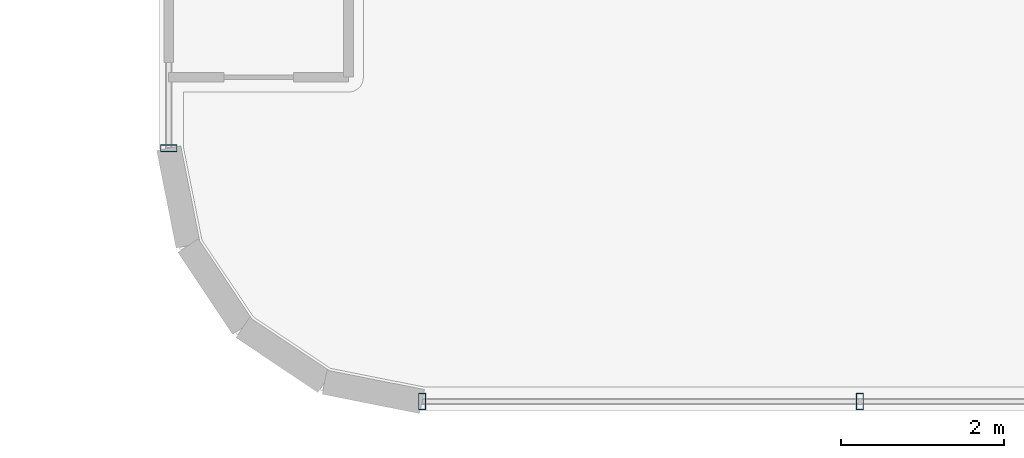
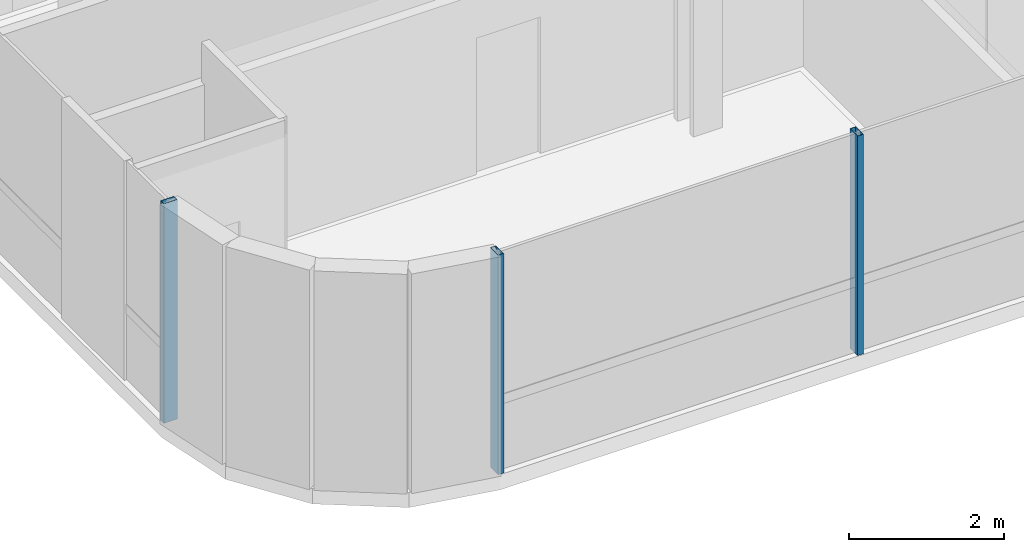
# One storey, part 2 of 40: 3 members, 2 elements without a shape of their own.
"""IFC4 building model written with IfcOpenShell, lengths in metres."""

import ifcopenshell
import ifcopenshell.guid

model = None  # the IFC model being written
_history = None  # IfcOwnerHistory: only IFC2X3 demands one
_inside = {}  # id of a spatial element -> (the spatial element, [elements in it])
_under = {}  # id of a project, library or spatial element -> (it, [spatial elements below it])
_declared = {}  # id of a project -> (the project, [libraries it declares])
_typed = {}  # id of a type object -> (the type object, [elements of that type])
_made_of = {}  # id of a material, layer set ... -> (it, [elements and type objects made of it])


def new_model(schema):
    """Start an empty IFC model of exactly this schema.

    Asked for "IFC4X3", IfcOpenShell would pick the latest addendum, in which some entities
    have other attributes; the version numbers below select the first issue.
    IFC2X3 requires an IfcOwnerHistory on every rooted entity: one is made here for all.
    """
    global model, _history
    if schema == "IFC4X3":
        model = ifcopenshell.file(schema_version=(4, 3, 0, 0))
    else:
        model = ifcopenshell.file(schema=schema)
    _inside.clear()
    _under.clear()
    _declared.clear()
    _typed.clear()
    _made_of.clear()
    _history = None
    if model.schema == "IFC2X3":
        org = make("IfcOrganization", Name="unknown")
        user = make(
            "IfcPersonAndOrganization",
            ThePerson=make("IfcPerson", FamilyName="unknown"),
            TheOrganization=org,
        )
        app = make(
            "IfcApplication",
            ApplicationDeveloper=org,
            Version="unknown",
            ApplicationFullName="unknown",
            ApplicationIdentifier="unknown",
        )
        _history = make(
            "IfcOwnerHistory",
            OwningUser=user,
            OwningApplication=app,
            ChangeAction="ADDED",
            CreationDate=0,
        )
    return model


def make(cls, **values):
    """One entity of the class cls with the attributes given. An attribute that is None is left unset."""
    return model.create_entity(
        cls, **{name: value for name, value in values.items() if value is not None}
    )


def rooted(cls, **values):
    """An entity with a GlobalId (a new one), such as an element, a storey or a relation."""
    return make(cls, GlobalId=ifcopenshell.guid.new(), OwnerHistory=_history, **values)


def si_unit(unit_type, name, prefix=None):
    """IfcSIUnit, for example si_unit("LENGTHUNIT", "METRE", prefix="MILLI")."""
    return make("IfcSIUnit", UnitType=unit_type, Prefix=prefix, Name=name)


def assignment(units):
    """IfcUnitAssignment: the units of a project."""
    return None if units is None else make("IfcUnitAssignment", Units=units)


def point(xyz):
    """IfcCartesianPoint."""
    return None if xyz is None else make("IfcCartesianPoint", Coordinates=xyz)


def direction(xyz):
    """IfcDirection."""
    return None if xyz is None else make("IfcDirection", DirectionRatios=xyz)


def frame(location, z_axis=None, x_axis=None):
    """IfcAxis2Placement3D, a coordinate frame: its origin and axes. An axis left out is left unset."""
    return make(
        "IfcAxis2Placement3D",
        Location=point(location),
        Axis=direction(z_axis),
        RefDirection=direction(x_axis),
    )


def frame_2d(location, x_axis=None):
    """IfcAxis2Placement2D, a coordinate frame in the plane: its origin and x axis."""
    return make(
        "IfcAxis2Placement2D", Location=point(location), RefDirection=direction(x_axis)
    )


def origin():
    """The frame at (0, 0, 0) with its axes left unset."""
    return frame((0.0, 0.0, 0.0))


def origin_2d():
    """The frame at (0, 0) in the plane with its x axis left unset."""
    return frame_2d((0.0, 0.0))


def place(relative_to, where):
    """IfcLocalPlacement: puts the frame where relative to a parent placement (None: the world)."""
    return make(
        "IfcLocalPlacement", PlacementRelTo=relative_to, RelativePlacement=where
    )


def context(
    kind, dimensions, precision=None, world=None, true_north=None, identifier=None
):
    """IfcGeometricRepresentationContext, for example the 3D "Model" context."""
    return make(
        "IfcGeometricRepresentationContext",
        ContextIdentifier=identifier,
        ContextType=kind,
        CoordinateSpaceDimension=dimensions,
        Precision=precision,
        WorldCoordinateSystem=world,
        TrueNorth=true_north,
    )


def subcontext(parent, identifier, kind, view, scale=None):
    """IfcGeometricRepresentationSubContext, for example "Body" below "Model"."""
    return make(
        "IfcGeometricRepresentationSubContext",
        ContextIdentifier=identifier,
        ContextType=kind,
        ParentContext=parent,
        TargetScale=scale,
        TargetView=view,
    )


def project(units=None, contexts=None):
    """IfcProject with its units and contexts."""
    return rooted(
        "IfcProject",
        Name="project",
        RepresentationContexts=contexts,
        UnitsInContext=assignment(units),
    )


def spatial(cls, under=None, at=None, **own):
    """A site, building, storey or space (cls), placed at a placement, below another one or the project."""
    s = rooted(cls, ObjectPlacement=at, **own)
    if under is not None:
        _under.setdefault(under.id(), (under, []))[1].append(s)
    return s


def profile(cls, at=None, kind="AREA", **sizes):
    """A parametric profile (cls). Its sizes go by their IFC names, for example OverallWidth=200.0."""
    return make(cls, ProfileType=kind, Position=at, **sizes)


def hollow_rectangle(**sizes):
    """IfcRectangleHollowProfileDef."""
    return profile("IfcRectangleHollowProfileDef", **sizes)


def extrude(swept, where, along, depth):
    """IfcExtrudedAreaSolid: the profile swept, set in the frame where, extruded along a direction by depth."""
    return make(
        "IfcExtrudedAreaSolid",
        SweptArea=swept,
        Position=where,
        ExtrudedDirection=direction(along),
        Depth=depth,
    )


def shape(context_of_items, identifier, shape_type, items):
    """IfcShapeRepresentation: the items that make up one representation, for example the "Body"."""
    return make(
        "IfcShapeRepresentation",
        ContextOfItems=context_of_items,
        RepresentationIdentifier=identifier,
        RepresentationType=shape_type,
        Items=items,
    )


def source(mapping_origin, context_of_items, identifier, shape_type, items):
    """IfcRepresentationMap: a shape defined once, which mapped items show again and again."""
    return make(
        "IfcRepresentationMap",
        MappingOrigin=mapping_origin,
        MappedRepresentation=shape(context_of_items, identifier, shape_type, items),
    )


def transform(
    local_origin,
    x_axis=None,
    y_axis=None,
    z_axis=None,
    scale=None,
    scale2=None,
    scale3=None,
    uniform=True,
):
    """IfcCartesianTransformationOperator3D, or its non-uniform kind. x_axis, y_axis, z_axis: its Axis1, 2, 3."""
    if uniform:
        return make(
            "IfcCartesianTransformationOperator3D",
            Axis1=direction(x_axis),
            Axis2=direction(y_axis),
            LocalOrigin=point(local_origin),
            Scale=scale,
            Axis3=direction(z_axis),
        )
    return make(
        "IfcCartesianTransformationOperator3DnonUniform",
        Axis1=direction(x_axis),
        Axis2=direction(y_axis),
        LocalOrigin=point(local_origin),
        Scale=scale,
        Axis3=direction(z_axis),
        Scale2=scale2,
        Scale3=scale3,
    )


def mapped(mapping_source, mapping_target):
    """IfcMappedItem: shows the shape of a source again, moved by a transform."""
    return make(
        "IfcMappedItem", MappingSource=mapping_source, MappingTarget=mapping_target
    )


def material(Name=None, Category=None):
    """IfcMaterial."""
    return make("IfcMaterial", Name=Name, Category=Category)


def material_profile(
    of_material, cross_section, Name=None, Category=None, Priority=None
):
    """IfcMaterialProfile: a cross section and its material."""
    return make(
        "IfcMaterialProfile",
        Name=Name,
        Material=of_material,
        Profile=cross_section,
        Priority=Priority,
        Category=Category,
    )


def profile_set(profiles, Name=None, composite=None):
    """IfcMaterialProfileSet."""
    return make(
        "IfcMaterialProfileSet",
        Name=Name,
        MaterialProfiles=profiles,
        CompositeProfile=composite,
    )


def made_of(thing, what):
    """Note that an element or type object is made of a material, layer set ...; save() writes the relation."""
    if what is not None:
        _made_of.setdefault(what.id(), (what, []))[1].append(thing)
    return thing


def type_object(cls, material=None, **own):
    """A type object (cls), such as IfcWallType, which elements share."""
    return made_of(rooted(cls, **own), material)


def element(
    cls,
    number,
    at=None,
    inside=None,
    cuts=None,
    type_object=None,
    material=None,
    context=None,
    identifier="Body",
    shape_type=None,
    held_by="IfcProductDefinitionShape",
    body=None,
    shapes=None,
    **own,
):
    """One element of the class cls, such as IfcWall. Its Tag is "e" and its number.

    at: its placement. inside: the storey or other place that contains it. cuts: it is an
    opening in that element (IfcRelVoidsElement). A single representation is given by context,
    identifier, shape_type and body (its items); several are given by shapes. held_by: the class
    of the entity that holds the representations. save() writes the other relations.
    """
    e = rooted(cls, Tag="e%d" % number, ObjectPlacement=at, **own)
    if body is not None:
        shapes = [shape(context, identifier, shape_type, body)]
    if shapes is not None:
        e.Representation = make(held_by, Representations=shapes)
    if inside is not None:
        _inside.setdefault(inside.id(), (inside, []))[1].append(e)
    if cuts is not None:
        rooted(
            "IfcRelVoidsElement", RelatingBuildingElement=cuts, RelatedOpeningElement=e
        )
    if type_object is not None:
        _typed.setdefault(type_object.id(), (type_object, []))[1].append(e)
    return made_of(e, material)


def aggregate(whole, parts):
    """IfcRelAggregates: a whole, such as a stair, and the parts it consists of."""
    return rooted("IfcRelAggregates", RelatingObject=whole, RelatedObjects=parts)


def save(model, path):
    """Write the relations noted so far, then the file.

    IfcRelAggregates (storeys below a building ...), IfcRelContainedInSpatialStructure (elements
    in a storey), IfcRelDefinesByType, IfcRelAssociatesMaterial and IfcRelDeclares: one each for
    every whole, place, type object, material and project.
    """
    for whole, parts in _under.values():
        aggregate(whole, parts)
    for where, things in _inside.values():
        rooted(
            "IfcRelContainedInSpatialStructure",
            RelatedElements=things,
            RelatingStructure=where,
        )
    for kind, things in _typed.values():
        rooted("IfcRelDefinesByType", RelatedObjects=things, RelatingType=kind)
    for what, things in _made_of.values():
        rooted("IfcRelAssociatesMaterial", RelatedObjects=things, RelatingMaterial=what)
    for by, libraries in _declared.values():
        rooted("IfcRelDeclares", RelatingContext=by, RelatedDefinitions=libraries)
    model.write(path)


model = new_model("IFC4")

# Units and contexts
model_context = context("Model", 3, precision=1e-05, world=origin(), true_north=direction((0.0, 1.0)))
body_context = subcontext(model_context, "Body", "Model", "MODEL_VIEW")
ifc_project = project(units=[si_unit("LENGTHUNIT", "METRE"), si_unit("AREAUNIT", "SQUARE_METRE"), si_unit("VOLUMEUNIT", "CUBIC_METRE"), si_unit("PLANEANGLEUNIT", "RADIAN"), si_unit("MASSUNIT", "GRAM", prefix="KILO")], contexts=[model_context])

# Site, building, storey
site_placement = place(None, origin())
site = spatial("IfcSite", under=ifc_project, at=site_placement, CompositionType="ELEMENT")
building_placement = place(site_placement, origin())
building = spatial("IfcBuilding", under=site, at=building_placement, Name="Valdorenza Pilgrim Sanctuary Tower", CompositionType="ELEMENT")
storey_placement = place(building_placement, frame((0.0, 0.0, 40.800048828125)))
storey = spatial("IfcBuildingStorey", under=building, at=storey_placement, Name="L09", CompositionType="ELEMENT", Elevation=40.800048828125)

# Curtain wall, member
ifc_material_1 = material(Name="Curtain-wall IGU glazing", Category="glass")
curtain_wall_type = type_object("IfcCurtainWallType", Name="CW-SYS-02", PredefinedType="NOTDEFINED", material=ifc_material_1)
curtain_wall_1_placement = place(storey_placement, origin())
curtain_wall_1 = element("IfcCurtainWall", 1, at=curtain_wall_1_placement, inside=storey, type_object=curtain_wall_type, Name="L09 Curtain Wall CW-L09-1-1S1", PredefinedType="NOTDEFINED")
ifc_material_2 = material(Name="Anodised aluminium AW-6060", Category="aluminium")
ifc_material_profile = material_profile(ifc_material_2, hollow_rectangle(XDim=0.0849609375, YDim=0.199951171875, WallThickness=0.0048828125, at=origin_2d()), Name="ALU-M 200x85x5")
ifc_profile_set = profile_set([ifc_material_profile], Name="Anodised aluminium AW-6060")
member_type = type_object("IfcMemberType", Name="CW-MUL-02", PredefinedType="MULLION", material=ifc_profile_set)
shared_shape = source(origin(), body_context, "Body", "SweptSolid", [
    extrude(hollow_rectangle(XDim=0.0849609375, YDim=0.199951171875, WallThickness=0.0048828125, at=origin_2d()), origin(), (0.0, 0.0, 1.0), 3.4599609375),
])
member_1_placement = place(storey_placement, frame((-31.889892578125, -15.789306640625, 0.0), z_axis=(0.0, 0.0, 1.0), x_axis=(0.0, 1.0, 0.0)))
member_1 = element("IfcMember", 2, at=member_1_placement, type_object=member_type, Name="CW-L09-1-1S1 Mullion 1", PredefinedType="MULLION", context=body_context, shape_type="MappedRepresentation", body=[
    mapped(shared_shape, transform((0.0, 0.0, 0.0), x_axis=(1.0, 0.0, 0.0), y_axis=(0.0, 1.0, 0.0), z_axis=(0.0, 0.0, 1.0), scale=1.0)),
])
aggregate(curtain_wall_1, [member_1])

# Curtain wall, members
curtain_wall_2_placement = place(storey_placement, origin())
curtain_wall_2 = element("IfcCurtainWall", 3, at=curtain_wall_2_placement, inside=storey, type_object=curtain_wall_type, Name="L09 Curtain Wall CW-L09-1-46", PredefinedType="NOTDEFINED")
member_2_placement = place(storey_placement, frame((-23.4296875, -18.889892578125, 0.0), z_axis=(0.0, 0.0, 1.0), x_axis=(-1.0, 0.0, 0.0)))
member_2 = element("IfcMember", 4, at=member_2_placement, type_object=member_type, Name="CW-L09-1-46 Mullion 3", PredefinedType="MULLION", context=body_context, shape_type="MappedRepresentation", body=[
    mapped(shared_shape, transform((0.0, 0.0, 0.0), x_axis=(1.0, 0.0, 0.0), y_axis=(0.0, 1.0, 0.0), z_axis=(0.0, 0.0, 1.0), scale=1.0)),
])
member_3_placement = place(storey_placement, frame((-28.789306640625, -18.889892578125, 0.0), z_axis=(0.0, 0.0, 1.0), x_axis=(-1.0, 0.0, 0.0)))
member_3 = element("IfcMember", 5, at=member_3_placement, type_object=member_type, Name="CW-L09-1-46 Mullion 4", PredefinedType="MULLION", context=body_context, shape_type="MappedRepresentation", body=[
    mapped(shared_shape, transform((0.0, 0.0, 0.0), x_axis=(1.0, 0.0, 0.0), y_axis=(0.0, 1.0, 0.0), z_axis=(0.0, 0.0, 1.0), scale=1.0)),
])
aggregate(curtain_wall_2, [member_2, member_3])

save(model, "model.ifc")
